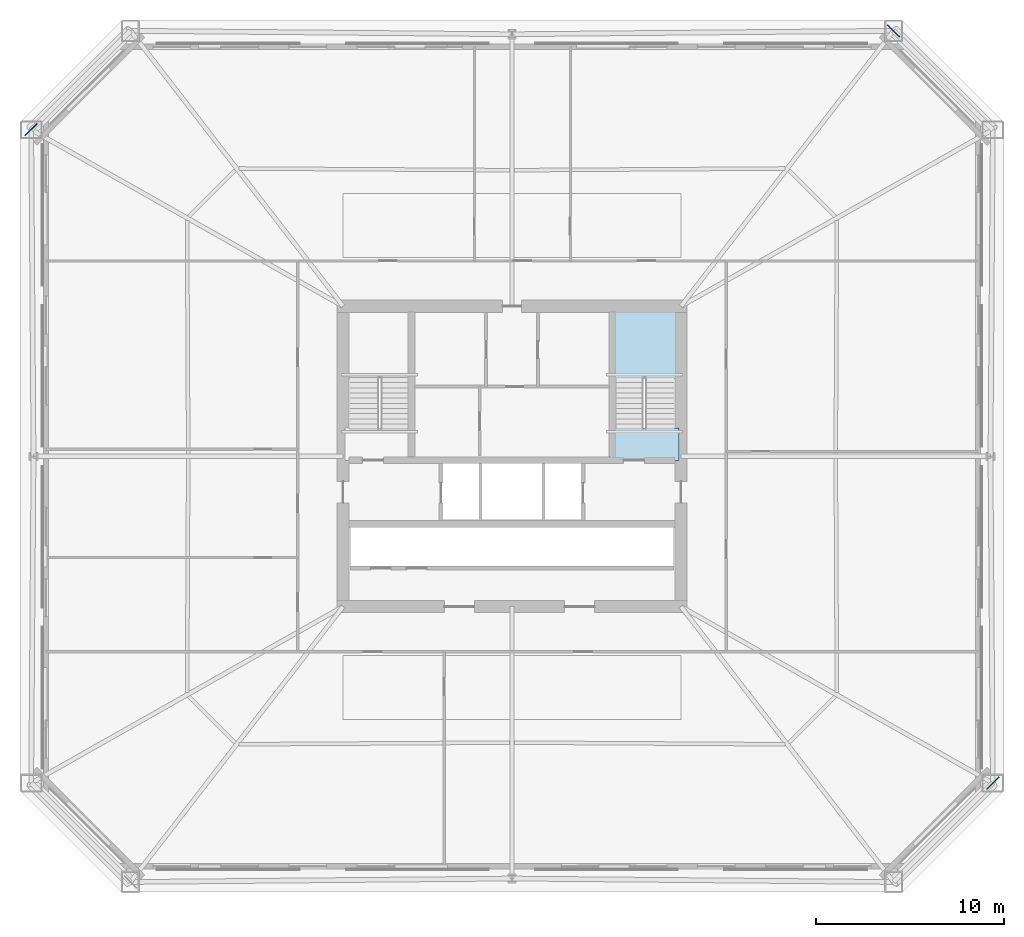
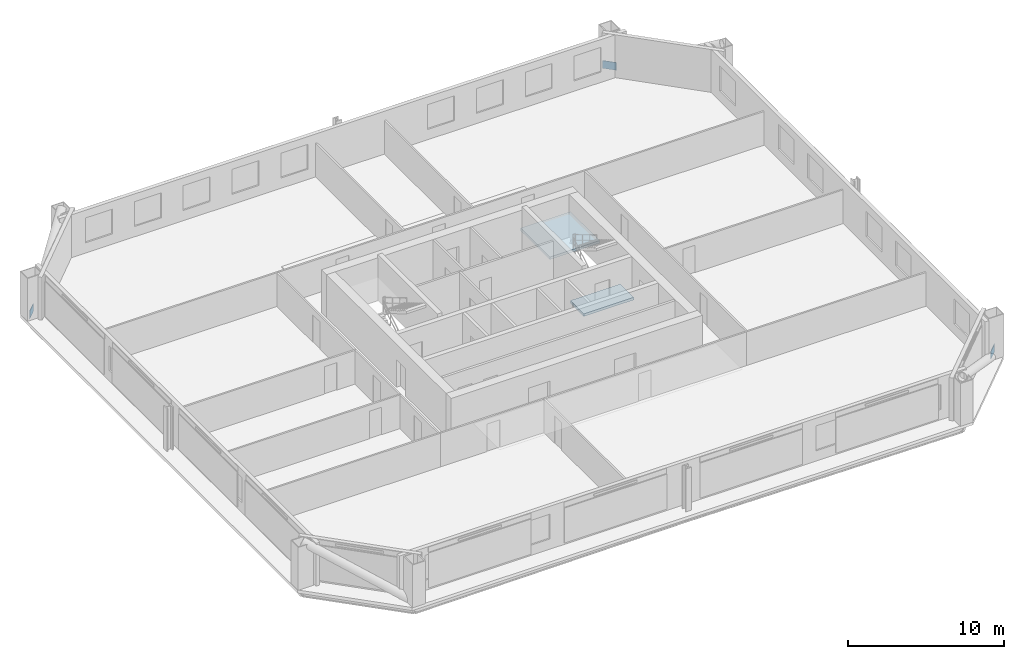
# One storey, part 4 of 11: 3 plates, 2 slabs, 1 element without a shape of its own.
"""IFC4 building model written with IfcOpenShell, lengths in metres."""

from ifc_helpers import new_model, si_unit, direction, frame, origin, origin_2d, place, context, subcontext, project, spatial, polyline, rectangle, outline, extrude, material, layer, layer_set, type_object, element, aggregate, save


model = new_model("IFC4")

# Units and contexts
model_context = context("Model", 3, precision=1e-05, world=origin(), true_north=direction((0.0, 1.0)))
body_context = subcontext(model_context, "Body", "Model", "MODEL_VIEW")
ifc_project = project(units=[si_unit("LENGTHUNIT", "METRE"), si_unit("AREAUNIT", "SQUARE_METRE"), si_unit("VOLUMEUNIT", "CUBIC_METRE"), si_unit("PLANEANGLEUNIT", "RADIAN"), si_unit("MASSUNIT", "GRAM", prefix="KILO")], contexts=[model_context])

# Site, building, storey
site_placement = place(None, origin())
site = spatial("IfcSite", under=ifc_project, at=site_placement, CompositionType="ELEMENT")
building_placement = place(site_placement, origin())
building = spatial("IfcBuilding", under=site, at=building_placement, Name="Caelvoria Tower", CompositionType="ELEMENT")
storey_placement = place(building_placement, frame((0.0, 0.0, 74.800048828125)))
storey = spatial("IfcBuildingStorey", under=building, at=storey_placement, Name="L19", CompositionType="ELEMENT", Elevation=74.800048828125)

# Plates
ifc_material_1 = material(Name="Structural Steel ASTM A572 Gr.50", Category="steel")
ifc_layer_1 = layer(ifc_material_1, 0.0400390625, Name="Structural Steel ASTM A572 Gr.50")
ifc_layer_set_1 = layer_set([ifc_layer_1], Name="Megaframe Node Gusset Plate 900x600x40 - Structural Steel ASTM A572 Gr.50")
plate_type = type_object("IfcPlateType", Name="Megaframe Node Gusset Plate 900x600x40", PredefinedType="USERDEFINED", material=ifc_layer_set_1)
for number, where, z_axis, x_axis, name in (
    (1, (71.6044921875, 14.6044921875, 0.02001953125), (0.0, 0.0, 1.0), (-0.708211700313, -0.706000132819, 0.0), "Chamfer Mega Brace Gusset L19 SE"),
    (2, (66.3193359375, 54.663818359375, 0.02001953125), (0.0, 0.0, 1.0), (0.708211700313, -0.706000132819, 0.0), "Chamfer Mega Brace Gusset L19 NE"),
    (3, (20.3955078125, 49.3955078125, 0.02001953125), (0.0, 0.0, 1.0), (0.708211700313, 0.706000132819, 0.0), "Chamfer Mega Brace Gusset L19 NW"),
):
    element("IfcPlate", number, at=place(storey_placement, frame(where, z_axis=z_axis, x_axis=x_axis)), inside=storey, type_object=plate_type, Name=name, ObjectType="GUSSET_PLATE", PredefinedType="USERDEFINED", context=body_context, shape_type="SweptSolid", body=[
        extrude(rectangle(XDim=0.89990234375, YDim=0.0400390625, at=origin_2d()), origin(), (0.0, 0.0, 1.0), 0.60009765625),
    ])

# Stair, slabs
ifc_material_2 = material(Name="Concrete C40/50", Category="concrete")
stair_type = type_object("IfcStairType", Name="Core Smokeproof Dogleg Stair Concrete C40/50", PredefinedType="HALF_TURN_STAIR", material=ifc_material_2)
stair_placement = place(storey_placement, origin())
stair = element("IfcStair", 4, at=stair_placement, inside=storey, type_object=stair_type, Name="ST-02 Smokeproof Exit Stair L19", PredefinedType="HALF_TURN_STAIR")
ifc_layer_2 = layer(ifc_material_2, 0.199951171875, Name="Concrete C40/50")
ifc_layer_set_2 = layer_set([ifc_layer_2], Name="Stair Half and Floor Landing Slab 200 Concrete C40/50 - Concrete C40/50")
slab_type = type_object("IfcSlabType", Name="Stair Half and Floor Landing Slab 200 Concrete C40/50", PredefinedType="LANDING", material=ifc_layer_set_2)
slab_1_placement = place(storey_placement, frame((0.0, 0.0, -0.199951171875)))
slab_1 = element("IfcSlab", 5, at=slab_1_placement, type_object=slab_type, Name="ST-02 landing 1", PredefinedType="LANDING", context=body_context, shape_type="SweptSolid", body=[
    extrude(outline(polyline([(51.199951171875, 31.77001953125), (54.89990234375, 31.77001953125), (54.89990234375, 33.5), (51.199951171875, 33.5), (51.199951171875, 31.77001953125)])), origin(), (0.0, 0.0, 1.0), 0.199951171875),
])
slab_2_placement = place(storey_placement, frame((0.0, 0.0, 1.599853515625)))
slab_2 = element("IfcSlab", 6, at=slab_2_placement, type_object=slab_type, Name="ST-02 landing 2", PredefinedType="LANDING", context=body_context, shape_type="SweptSolid", body=[
    extrude(outline(polyline([(51.199951171875, 36.14990234375), (54.89990234375, 36.14990234375), (54.89990234375, 39.89990234375), (51.199951171875, 39.89990234375), (51.199951171875, 36.14990234375)])), origin(), (0.0, 0.0, 1.0), 0.2001953125),
])
aggregate(stair, [slab_1, slab_2])

save(model, "model.ifc")
